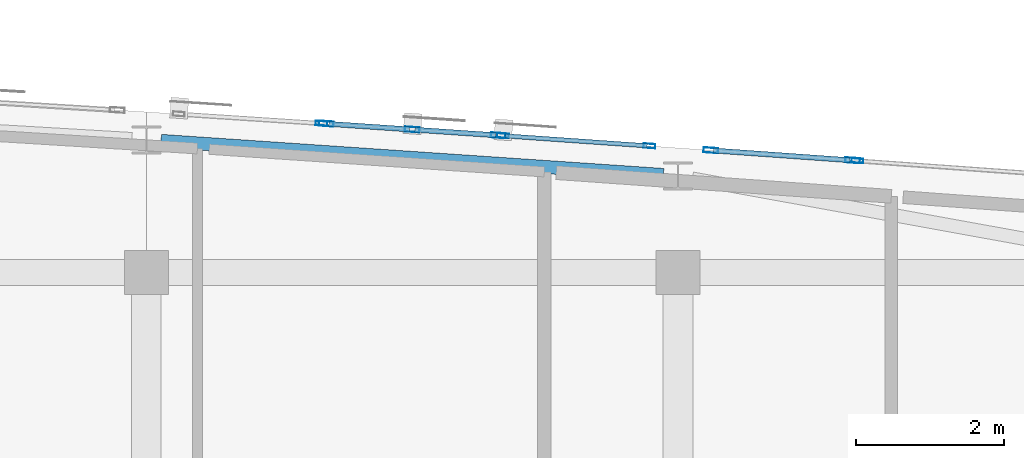
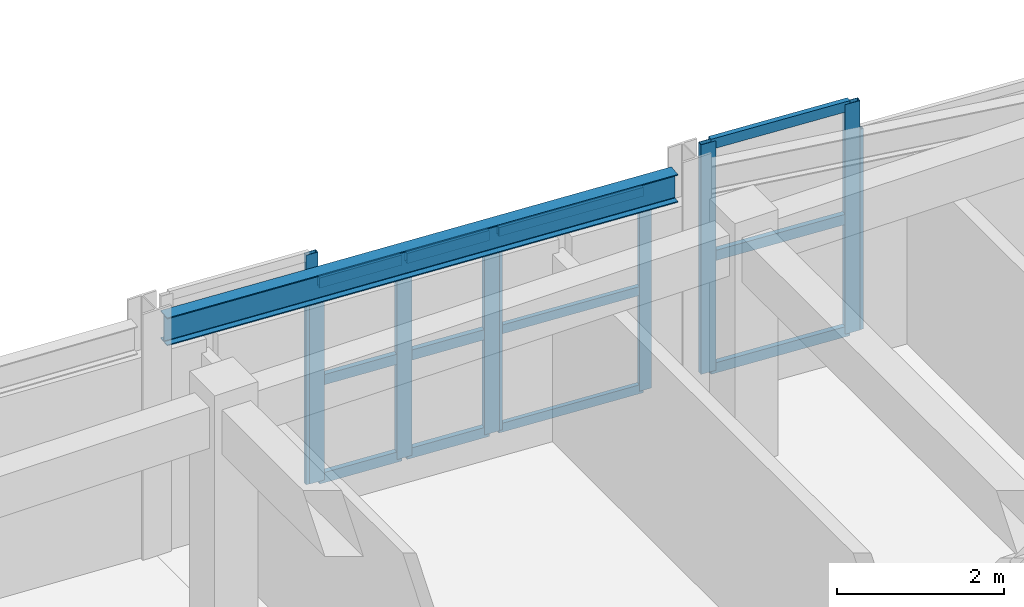
# One storey, part 24 of 45: 21 members, 1 beam, 5 elements without a shape of their own.
"""IFC4 building model written with IfcOpenShell, lengths in metres."""

from ifc_helpers import new_model, si_unit, direction, frame, origin, origin_2d, place, context, subcontext, project, spatial, hollow_rectangle, i_section, extrude, material, layer, layer_set, material_profile, profile_set, type_object, element, aggregate, save


model = new_model("IFC4")

# Units and contexts
model_context = context("Model", 3, precision=1e-05, world=origin(), true_north=direction((0.0, 1.0)))
body_context = subcontext(model_context, "Body", "Model", "MODEL_VIEW")
ifc_project = project(units=[si_unit("LENGTHUNIT", "METRE"), si_unit("AREAUNIT", "SQUARE_METRE"), si_unit("VOLUMEUNIT", "CUBIC_METRE"), si_unit("PLANEANGLEUNIT", "RADIAN"), si_unit("MASSUNIT", "GRAM", prefix="KILO")], contexts=[model_context])

# Site, building, storey
site_placement = place(None, origin())
site = spatial("IfcSite", under=ifc_project, at=site_placement, CompositionType="ELEMENT")
building_placement = place(site_placement, origin())
building = spatial("IfcBuilding", under=site, at=building_placement, Name="Carrowvane Square Congress Hotel", CompositionType="ELEMENT")
storey_placement = place(building_placement, frame((0.0, 0.0, 33.60009765625)))
storey = spatial("IfcBuildingStorey", under=building, at=storey_placement, Name="L08", CompositionType="ELEMENT", Elevation=33.60009765625)

# Beam
ifc_material_1 = material(Name="Steel S355", Category="steel")
ifc_material_profile_1 = material_profile(ifc_material_1, i_section(OverallWidth=0.1787109375, OverallDepth=0.409423828125, WebThickness=0.0087890625, FlangeThickness=0.014404296875, FilletRadius=0.01025390625, at=origin_2d()), Name="UKB 406x178x67")
ifc_profile_set_1 = profile_set([ifc_material_profile_1], Name="Steel S355")
beam_type = type_object("IfcBeamType", Name="BM-ST-UKB406", PredefinedType="BEAM", material=ifc_profile_set_1)
beam_placement = place(storey_placement, frame((126.9970703125, 115.180908203125, 3.1552734375), z_axis=(0.99770720425, -0.067678169216, 0.0), x_axis=(0.067678169216, 0.99770720425, 0.0)))
element("IfcBeam", 1, at=beam_placement, inside=storey, type_object=beam_type, Name="L09 curved north spandrel", PredefinedType="BEAM", context=body_context, shape_type="SweptSolid", body=[
    extrude(i_section(OverallWidth=0.1787109375, OverallDepth=0.409423828125, WebThickness=0.0087890625, FlangeThickness=0.014404296875, FilletRadius=0.01025390625, at=origin_2d()), origin(), (0.0, 0.0, 1.0), 6.821533203125),
])

# Curtain wall, member
ifc_material_2 = material(Name="Anodised aluminium", Category="aluminium")
ifc_layer_1 = layer(ifc_material_2, 0.23388671875)
ifc_layer_set_1 = layer_set([ifc_layer_1], Name="Anodised aluminium")
curtain_wall_type_1 = type_object("IfcCurtainWallType", Name="CW-SYS-7", PredefinedType="NOTDEFINED", material=ifc_layer_set_1)
curtain_wall_1_placement = place(storey_placement, origin())
curtain_wall_1 = element("IfcCurtainWall", 2, at=curtain_wall_1_placement, inside=storey, type_object=curtain_wall_type_1, Name="L08 unitised curtain wall 494", PredefinedType="NOTDEFINED")
ifc_material_3 = material(Name="Anodised aluminium", Category="aluminium")
ifc_material_profile_2 = material_profile(ifc_material_3, hollow_rectangle(XDim=0.06005859375, YDim=0.159912109375, WallThickness=0.00390625, at=origin_2d()), Name="CW-ML 60x160x4")
ifc_profile_set_2 = profile_set([ifc_material_profile_2], Name="Anodised aluminium")
member_type_1 = type_object("IfcMemberType", Name="CW-MUL-1", PredefinedType="MULLION", material=ifc_profile_set_2)
member_1_placement = place(storey_placement, frame((129.170166015625, 115.4189453125, 0.0), z_axis=(0.0, 0.0, 1.0), x_axis=(0.065413941589, 0.9978582145, 0.0)))
member_1 = element("IfcMember", 3, at=member_1_placement, type_object=member_type_1, Name="CW-7 mullion 2", PredefinedType="MULLION", context=body_context, shape_type="SweptSolid", body=[
    extrude(hollow_rectangle(XDim=0.06005859375, YDim=0.159912109375, WallThickness=0.00390625, at=origin_2d()), origin(), (0.0, 0.0, 1.0), 3.35986328125),
])
aggregate(curtain_wall_1, [member_1])

# Curtain wall, members
ifc_material_4 = material(Name="Anodised aluminium", Category="aluminium")
ifc_layer_2 = layer(ifc_material_4, 0.162109375)
ifc_layer_set_2 = layer_set([ifc_layer_2], Name="Anodised aluminium")
curtain_wall_type_2 = type_object("IfcCurtainWallType", Name="CW-SYS-1", PredefinedType="NOTDEFINED", material=ifc_layer_set_2)
curtain_wall_2_placement = place(storey_placement, origin())
curtain_wall_2 = element("IfcCurtainWall", 4, at=curtain_wall_2_placement, inside=storey, type_object=curtain_wall_type_2, Name="L08 unitised curtain wall 496", PredefinedType="NOTDEFINED")
member_2_placement = place(storey_placement, frame((131.6298828125, 115.251708984375, 0.0), z_axis=(0.0, 0.0, 1.0), x_axis=(0.069726879118, 0.997566119277, 0.0)))
member_2 = element("IfcMember", 5, at=member_2_placement, type_object=member_type_1, Name="CW-1 mullion 1", PredefinedType="MULLION", context=body_context, shape_type="SweptSolid", body=[
    extrude(hollow_rectangle(XDim=0.06005859375, YDim=0.159912109375, WallThickness=0.00390625, at=origin_2d()), origin(), (0.0, 0.0, 1.0), 2.935546875),
])
member_3_placement = place(storey_placement, frame((133.61279296875, 115.113037109375, 0.0), z_axis=(0.0, 0.0, 1.0), x_axis=(0.069726879118, 0.997566119277, 0.0)))
member_3 = element("IfcMember", 6, at=member_3_placement, type_object=member_type_1, Name="CW-1 mullion 2", PredefinedType="MULLION", context=body_context, shape_type="SweptSolid", body=[
    extrude(hollow_rectangle(XDim=0.06005859375, YDim=0.159912109375, WallThickness=0.00390625, at=origin_2d()), origin(), (0.0, 0.0, 1.0), 2.935546875),
])

# Curtain wall, member
ifc_material_5 = material(Name="Anodised aluminium", Category="aluminium")
ifc_layer_3 = layer(ifc_material_5, 0.18603515625)
ifc_layer_set_3 = layer_set([ifc_layer_3], Name="Anodised aluminium")
curtain_wall_type_3 = type_object("IfcCurtainWallType", Name="CW-SYS-3", PredefinedType="NOTDEFINED", material=ifc_layer_set_3)
curtain_wall_3_placement = place(storey_placement, origin())
curtain_wall_3 = element("IfcCurtainWall", 7, at=curtain_wall_3_placement, inside=storey, type_object=curtain_wall_type_3, Name="L08 unitised curtain wall 498", PredefinedType="NOTDEFINED")
member_4_placement = place(storey_placement, frame((136.429931640625, 114.9130859375, 0.0), z_axis=(0.0, 0.0, 1.0), x_axis=(0.071531759512, 0.997438322595, 0.0)))
member_4 = element("IfcMember", 8, at=member_4_placement, type_object=member_type_1, Name="CW-3 mullion 1", PredefinedType="MULLION", context=body_context, shape_type="SweptSolid", body=[
    extrude(hollow_rectangle(XDim=0.06005859375, YDim=0.159912109375, WallThickness=0.00390625, at=origin_2d()), origin(), (0.0, 0.0, 1.0), 2.935546875),
])
aggregate(curtain_wall_3, [member_4])

# Curtain wall, members
ifc_material_6 = material(Name="Anodised aluminium", Category="aluminium")
ifc_layer_4 = layer(ifc_material_6, 0.24609375)
ifc_layer_set_4 = layer_set([ifc_layer_4], Name="Anodised aluminium")
curtain_wall_type_4 = type_object("IfcCurtainWallType", Name="CW-SYS-8", PredefinedType="NOTDEFINED", material=ifc_layer_set_4)
curtain_wall_4_placement = place(storey_placement, origin())
curtain_wall_4 = element("IfcCurtainWall", 9, at=curtain_wall_4_placement, inside=storey, type_object=curtain_wall_type_4, Name="L08 unitised curtain wall 495", PredefinedType="NOTDEFINED")
ifc_material_7 = material(Name="Anodised aluminium", Category="aluminium")
ifc_material_profile_3 = material_profile(ifc_material_7, hollow_rectangle(XDim=0.070068359375, YDim=0.199951171875, WallThickness=0.0048828125, at=origin_2d()), Name="CW-ML 70x200x5")
ifc_profile_set_3 = profile_set([ifc_material_profile_3], Name="Anodised aluminium")
member_type_2 = type_object("IfcMemberType", Name="CW-MUL-2", PredefinedType="MULLION", material=ifc_profile_set_3)
member_5_placement = place(storey_placement, frame((129.23486328125, 115.41455078125, 0.0), z_axis=(0.0, 0.0, 1.0), x_axis=(0.067869562107, 0.99769420292, 0.0)))
member_5 = element("IfcMember", 10, at=member_5_placement, type_object=member_type_2, Name="CW-8 mullion 1", PredefinedType="MULLION", context=body_context, shape_type="SweptSolid", body=[
    extrude(hollow_rectangle(XDim=0.070068359375, YDim=0.199951171875, WallThickness=0.0048828125, at=origin_2d()), origin(), (0.0, 0.0, 1.0), 2.935546875),
])
member_6_placement = place(storey_placement, frame((130.39990234375, 115.33544921875, 0.0), z_axis=(0.0, 0.0, 1.0), x_axis=(0.067869562107, 0.99769420292, 0.0)))
member_6 = element("IfcMember", 11, at=member_6_placement, type_object=member_type_2, Name="CW-8 mullion 2", PredefinedType="MULLION", context=body_context, shape_type="SweptSolid", body=[
    extrude(hollow_rectangle(XDim=0.070068359375, YDim=0.199951171875, WallThickness=0.0048828125, at=origin_2d()), origin(), (0.0, 0.0, 1.0), 2.935546875),
])
member_7_placement = place(storey_placement, frame((131.56494140625, 115.256103515625, 0.0), z_axis=(0.0, 0.0, 1.0), x_axis=(0.067869562107, 0.99769420292, 0.0)))
member_7 = element("IfcMember", 12, at=member_7_placement, type_object=member_type_2, Name="CW-8 mullion 3", PredefinedType="MULLION", context=body_context, shape_type="SweptSolid", body=[
    extrude(hollow_rectangle(XDim=0.070068359375, YDim=0.199951171875, WallThickness=0.0048828125, at=origin_2d()), origin(), (0.0, 0.0, 1.0), 2.935546875),
])

ifc_material_8 = material(Name="Anodised aluminium", Category="aluminium")
ifc_layer_5 = layer(ifc_material_8, 0.174072265625)
ifc_layer_set_5 = layer_set([ifc_layer_5], Name="Anodised aluminium")
curtain_wall_type_5 = type_object("IfcCurtainWallType", Name="CW-SYS-2", PredefinedType="NOTDEFINED", material=ifc_layer_set_5)
curtain_wall_5_placement = place(storey_placement, origin())
curtain_wall_5 = element("IfcCurtainWall", 13, at=curtain_wall_5_placement, inside=storey, type_object=curtain_wall_type_5, Name="L08 unitised curtain wall 497", PredefinedType="NOTDEFINED")
member_8_placement = place(storey_placement, frame((134.445556640625, 115.05419921875, 0.0), z_axis=(0.0, 0.0, 1.0), x_axis=(0.070959862453, 0.997479171673, 0.0)))
member_8 = element("IfcMember", 14, at=member_8_placement, type_object=member_type_2, Name="CW-2 mullion 1", PredefinedType="MULLION", context=body_context, shape_type="SweptSolid", body=[
    extrude(hollow_rectangle(XDim=0.070068359375, YDim=0.199951171875, WallThickness=0.0048828125, at=origin_2d()), origin(), (0.0, 0.0, 1.0), 3.35986328125),
])
member_9_placement = place(storey_placement, frame((136.365234375, 114.917724609375, 0.0), z_axis=(0.0, 0.0, 1.0), x_axis=(0.070959862453, 0.997479171673, 0.0)))
member_9 = element("IfcMember", 15, at=member_9_placement, type_object=member_type_2, Name="CW-2 mullion 2", PredefinedType="MULLION", context=body_context, shape_type="SweptSolid", body=[
    extrude(hollow_rectangle(XDim=0.070068359375, YDim=0.199951171875, WallThickness=0.0048828125, at=origin_2d()), origin(), (0.0, 0.0, 1.0), 3.35986328125),
])

# Member
ifc_material_9 = material(Name="Anodised aluminium", Category="aluminium")
ifc_material_profile_4 = material_profile(ifc_material_9, hollow_rectangle(XDim=0.06005859375, YDim=0.1298828125, WallThickness=0.00390625, at=origin_2d()), Name="CW-TR 60x130x4")
ifc_profile_set_4 = profile_set([ifc_material_profile_4], Name="Anodised aluminium")
member_type_3 = type_object("IfcMemberType", Name="CW-TRN-1", PredefinedType="USERDEFINED", material=ifc_profile_set_4)
member_10_placement = place(storey_placement, frame((131.659912109375, 115.24951171875, 0.02978515625), z_axis=(0.997570599543, -0.069662751365, 0.0), x_axis=(0.069662751365, 0.997570599543, 0.0)))
member_10 = element("IfcMember", 16, at=member_10_placement, type_object=member_type_3, Name="CW-1 transom 1.1", ObjectType="TRANSOM", PredefinedType="USERDEFINED", context=body_context, shape_type="SweptSolid", body=[
    extrude(hollow_rectangle(XDim=0.06005859375, YDim=0.1298828125, WallThickness=0.00390625, at=origin_2d()), origin(), (0.0, 0.0, 1.0), 1.927490234375),
])

member_11_placement = place(storey_placement, frame((131.659912109375, 115.24951171875, 1.4677734375), z_axis=(0.997570599543, -0.069662751365, 0.0), x_axis=(0.069662751365, 0.997570599543, 0.0)))
member_11 = element("IfcMember", 17, at=member_11_placement, type_object=member_type_3, Name="CW-1 transom 1.2", ObjectType="TRANSOM", PredefinedType="USERDEFINED", context=body_context, shape_type="SweptSolid", body=[
    extrude(hollow_rectangle(XDim=0.06005859375, YDim=0.1298828125, WallThickness=0.00390625, at=origin_2d()), origin(), (0.0, 0.0, 1.0), 1.927490234375),
])

member_12_placement = place(storey_placement, frame((131.659912109375, 115.24951171875, 2.905517578125), z_axis=(0.997570599543, -0.069662751365, 0.0), x_axis=(0.069662751365, 0.997570599543, 0.0)))
member_12 = element("IfcMember", 18, at=member_12_placement, type_object=member_type_3, Name="CW-1 transom 1.3", ObjectType="TRANSOM", PredefinedType="USERDEFINED", context=body_context, shape_type="SweptSolid", body=[
    extrude(hollow_rectangle(XDim=0.06005859375, YDim=0.1298828125, WallThickness=0.00390625, at=origin_2d()), origin(), (0.0, 0.0, 1.0), 1.927490234375),
])

aggregate(curtain_wall_2, [member_2, member_3, member_10, member_11, member_12])

ifc_material_10 = material(Name="Anodised aluminium", Category="aluminium")
ifc_material_profile_5 = material_profile(ifc_material_10, hollow_rectangle(XDim=0.070068359375, YDim=0.14990234375, WallThickness=0.0048828125, at=origin_2d()), Name="CW-TR 70x150x5")
ifc_profile_set_5 = profile_set([ifc_material_profile_5], Name="Anodised aluminium")
member_type_4 = type_object("IfcMemberType", Name="CW-TRN-2", PredefinedType="USERDEFINED", material=ifc_profile_set_5)
member_13_placement = place(storey_placement, frame((129.269775390625, 115.412109375, 0.034912109375), z_axis=(0.997696709768, -0.067832700954, 0.0), x_axis=(0.067832700954, 0.997696709768, 0.0)))
member_13 = element("IfcMember", 19, at=member_13_placement, type_object=member_type_4, Name="CW-8 transom 1.1", ObjectType="TRANSOM", PredefinedType="USERDEFINED", context=body_context, shape_type="SweptSolid", body=[
    extrude(hollow_rectangle(XDim=0.070068359375, YDim=0.14990234375, WallThickness=0.0048828125, at=origin_2d()), origin(), (0.0, 0.0, 1.0), 1.09765625),
])

member_14_placement = place(storey_placement, frame((129.269775390625, 115.412109375, 1.4677734375), z_axis=(0.997696709768, -0.067832700954, 0.0), x_axis=(0.067832700954, 0.997696709768, 0.0)))
member_14 = element("IfcMember", 20, at=member_14_placement, type_object=member_type_4, Name="CW-8 transom 1.2", ObjectType="TRANSOM", PredefinedType="USERDEFINED", context=body_context, shape_type="SweptSolid", body=[
    extrude(hollow_rectangle(XDim=0.070068359375, YDim=0.14990234375, WallThickness=0.0048828125, at=origin_2d()), origin(), (0.0, 0.0, 1.0), 1.09765625),
])

member_15_placement = place(storey_placement, frame((129.269775390625, 115.412109375, 2.900390625), z_axis=(0.997696709768, -0.067832700954, 0.0), x_axis=(0.067832700954, 0.997696709768, 0.0)))
member_15 = element("IfcMember", 21, at=member_15_placement, type_object=member_type_4, Name="CW-8 transom 1.3", ObjectType="TRANSOM", PredefinedType="USERDEFINED", context=body_context, shape_type="SweptSolid", body=[
    extrude(hollow_rectangle(XDim=0.070068359375, YDim=0.14990234375, WallThickness=0.0048828125, at=origin_2d()), origin(), (0.0, 0.0, 1.0), 1.09765625),
])

member_16_placement = place(storey_placement, frame((130.434814453125, 115.3330078125, 0.034912109375), z_axis=(0.997696709768, -0.067832700954, 0.0), x_axis=(0.067832700954, 0.997696709768, 0.0)))
member_16 = element("IfcMember", 22, at=member_16_placement, type_object=member_type_4, Name="CW-8 transom 2.1", ObjectType="TRANSOM", PredefinedType="USERDEFINED", context=body_context, shape_type="SweptSolid", body=[
    extrude(hollow_rectangle(XDim=0.070068359375, YDim=0.14990234375, WallThickness=0.0048828125, at=origin_2d()), origin(), (0.0, 0.0, 1.0), 1.09765625),
])

member_17_placement = place(storey_placement, frame((130.434814453125, 115.3330078125, 1.4677734375), z_axis=(0.997696709768, -0.067832700954, 0.0), x_axis=(0.067832700954, 0.997696709768, 0.0)))
member_17 = element("IfcMember", 23, at=member_17_placement, type_object=member_type_4, Name="CW-8 transom 2.2", ObjectType="TRANSOM", PredefinedType="USERDEFINED", context=body_context, shape_type="SweptSolid", body=[
    extrude(hollow_rectangle(XDim=0.070068359375, YDim=0.14990234375, WallThickness=0.0048828125, at=origin_2d()), origin(), (0.0, 0.0, 1.0), 1.09765625),
])

member_18_placement = place(storey_placement, frame((130.434814453125, 115.3330078125, 2.900390625), z_axis=(0.997696709768, -0.067832700954, 0.0), x_axis=(0.067832700954, 0.997696709768, 0.0)))
member_18 = element("IfcMember", 24, at=member_18_placement, type_object=member_type_4, Name="CW-8 transom 2.3", ObjectType="TRANSOM", PredefinedType="USERDEFINED", context=body_context, shape_type="SweptSolid", body=[
    extrude(hollow_rectangle(XDim=0.070068359375, YDim=0.14990234375, WallThickness=0.0048828125, at=origin_2d()), origin(), (0.0, 0.0, 1.0), 1.09765625),
])

aggregate(curtain_wall_4, [member_5, member_6, member_7, member_13, member_14, member_15, member_16, member_17, member_18])

member_19_placement = place(storey_placement, frame((134.48046875, 115.0517578125, 0.034912109375), z_axis=(0.997479373486, -0.070957025513, 0.0), x_axis=(0.070957025513, 0.997479373486, 0.0)))
member_19 = element("IfcMember", 25, at=member_19_placement, type_object=member_type_4, Name="CW-2 transom 1.1", ObjectType="TRANSOM", PredefinedType="USERDEFINED", context=body_context, shape_type="SweptSolid", body=[
    extrude(hollow_rectangle(XDim=0.070068359375, YDim=0.14990234375, WallThickness=0.0048828125, at=origin_2d()), origin(), (0.0, 0.0, 1.0), 1.8544921875),
])

member_20_placement = place(storey_placement, frame((134.48046875, 115.0517578125, 1.679931640625), z_axis=(0.997479373486, -0.070957025513, 0.0), x_axis=(0.070957025513, 0.997479373486, 0.0)))
member_20 = element("IfcMember", 26, at=member_20_placement, type_object=member_type_4, Name="CW-2 transom 1.2", ObjectType="TRANSOM", PredefinedType="USERDEFINED", context=body_context, shape_type="SweptSolid", body=[
    extrude(hollow_rectangle(XDim=0.070068359375, YDim=0.14990234375, WallThickness=0.0048828125, at=origin_2d()), origin(), (0.0, 0.0, 1.0), 1.8544921875),
])

member_21_placement = place(storey_placement, frame((134.48046875, 115.0517578125, 3.324951171875), z_axis=(0.997479373486, -0.070957025513, 0.0), x_axis=(0.070957025513, 0.997479373486, 0.0)))
member_21 = element("IfcMember", 27, at=member_21_placement, type_object=member_type_4, Name="CW-2 transom 1.3", ObjectType="TRANSOM", PredefinedType="USERDEFINED", context=body_context, shape_type="SweptSolid", body=[
    extrude(hollow_rectangle(XDim=0.070068359375, YDim=0.14990234375, WallThickness=0.0048828125, at=origin_2d()), origin(), (0.0, 0.0, 1.0), 1.8544921875),
])

aggregate(curtain_wall_5, [member_8, member_9, member_19, member_20, member_21])

save(model, "model.ifc")
